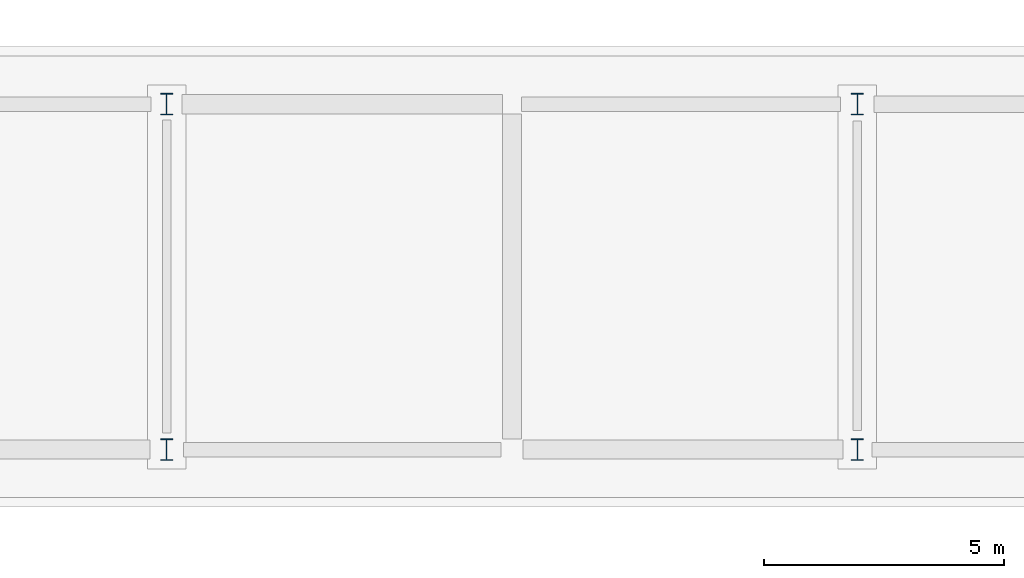
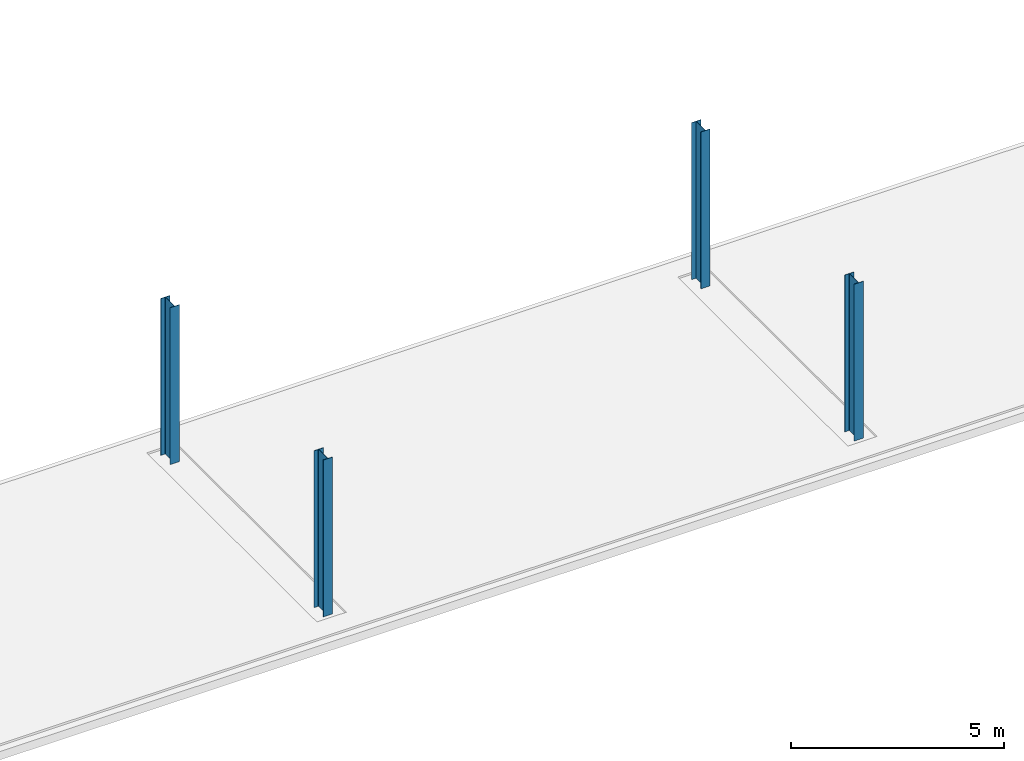
# One storey, part 2 of 134: 4 columns.
"""IFC4 building model written with IfcOpenShell, lengths in metres."""

from ifc_helpers import new_model, si_unit, direction, frame, origin, origin_2d, place, context, subcontext, project, spatial, i_section, extrude, material, material_profile, profile_set, type_object, element, save


model = new_model("IFC4")

# Units and contexts
model_context = context("Model", 3, precision=1e-05, world=origin(), true_north=direction((0.0, 1.0)))
body_context = subcontext(model_context, "Body", "Model", "MODEL_VIEW")
ifc_project = project(units=[si_unit("LENGTHUNIT", "METRE"), si_unit("AREAUNIT", "SQUARE_METRE"), si_unit("VOLUMEUNIT", "CUBIC_METRE"), si_unit("PLANEANGLEUNIT", "RADIAN"), si_unit("MASSUNIT", "GRAM", prefix="KILO")], contexts=[model_context])

# Site, building, storey
site_placement = place(None, origin())
site = spatial("IfcSite", under=ifc_project, at=site_placement, CompositionType="ELEMENT")
building_placement = place(site_placement, origin())
building = spatial("IfcBuilding", under=site, at=building_placement, Name="Kalluvel Institute of Natural Sciences", CompositionType="ELEMENT")
storey_placement = place(building_placement, frame((0.0, 0.0, 5.39990234375)))
storey = spatial("IfcBuildingStorey", under=building, at=storey_placement, Name="L01", CompositionType="ELEMENT", Elevation=5.39990234375)

# Columns
ifc_material = material(Name="Steel E350 Grade 350", Category="steel")
ifc_material_profile = material_profile(ifc_material, i_section(OverallWidth=0.25, OverallDepth=0.449951171875, WebThickness=0.01123046875, FlangeThickness=0.013671875, FilletRadius=0.013916015625, at=origin_2d()), Name="ISHB 450")
ifc_profile_set = profile_set([ifc_material_profile], Name="Steel E350 Grade 350")
column_type = type_object("IfcColumnType", Name="COL-ISHB450", PredefinedType="COLUMN", material=ifc_profile_set)
for number, where, z_axis, x_axis, name in (
    (1, (50.0, 28.39990234375, 0.0), (0.0, 0.0, 1.0), (1.0, 0.0, 0.0), "L01 structural column COL-L01-X500-Y284"),
    (2, (50.0, 35.60009765625, 0.0), (0.0, 0.0, 1.0), (1.0, 0.0, 0.0), "L01 structural column COL-L01-X500-Y356"),
    (3, (64.39990234375, 28.39990234375, 0.0), (0.0, 0.0, 1.0), (1.0, 0.0, 0.0), "L01 structural column COL-L01-X644-Y284"),
    (4, (64.39990234375, 35.60009765625, 0.0), (0.0, 0.0, 1.0), (1.0, 0.0, 0.0), "L01 structural column COL-L01-X644-Y356"),
):
    element("IfcColumn", number, at=place(storey_placement, frame(where, z_axis=z_axis, x_axis=x_axis)), inside=storey, type_object=column_type, Name=name, PredefinedType="COLUMN", context=body_context, shape_type="SweptSolid", body=[
        extrude(i_section(OverallWidth=0.25, OverallDepth=0.449951171875, WebThickness=0.01123046875, FlangeThickness=0.013671875, FilletRadius=0.013916015625, at=origin_2d()), origin(), (0.0, 0.0, 1.0), 4.5),
    ])

save(model, "model.ifc")
